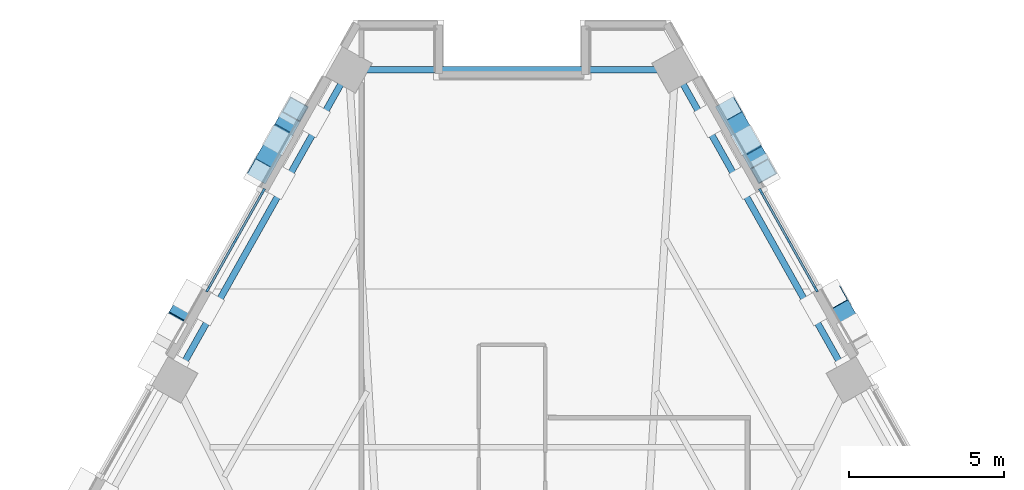
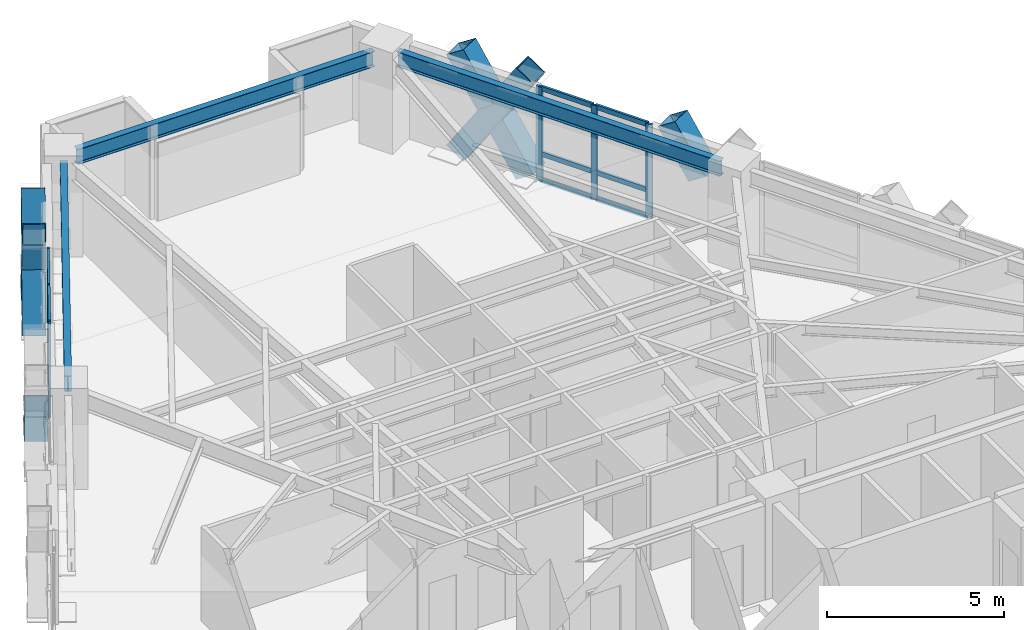
# One storey, part 5 of 14: 26 members, 3 beams, 2 elements without a shape of their own.
"""IFC4 building model written with IfcOpenShell, lengths in metres."""

from ifc_helpers import new_model, si_unit, direction, frame, origin, origin_2d, place, context, subcontext, project, spatial, rectangle, hollow_rectangle, i_section, extrude, material, material_profile, profile_set, type_object, element, aggregate, save


model = new_model("IFC4")

# Units and contexts
model_context = context("Model", 3, precision=1e-05, world=origin(), true_north=direction((0.0, 1.0)))
body_context = subcontext(model_context, "Body", "Model", "MODEL_VIEW")
ifc_project = project(units=[si_unit("LENGTHUNIT", "METRE"), si_unit("AREAUNIT", "SQUARE_METRE"), si_unit("VOLUMEUNIT", "CUBIC_METRE"), si_unit("PLANEANGLEUNIT", "RADIAN"), si_unit("MASSUNIT", "GRAM", prefix="KILO")], contexts=[model_context])

# Site, building, storey
site_placement = place(None, origin())
site = spatial("IfcSite", under=ifc_project, at=site_placement, CompositionType="ELEMENT")
building_placement = place(site_placement, origin())
building = spatial("IfcBuilding", under=site, at=building_placement, Name="Quenlor Broadcast Tower", CompositionType="ELEMENT")
storey_placement = place(building_placement, frame((0.0, 0.0, 112.5)))
storey = spatial("IfcBuildingStorey", under=building, at=storey_placement, Name="L30", CompositionType="ELEMENT", Elevation=112.5)

# Curtain wall, members
ifc_material_1 = material(Name="Architectural Terracotta and Low-E Glazing", Category="masonry")
curtain_wall_type = type_object("IfcCurtainWallType", Name="Unitised Terracotta Curtain Wall System Z2", PredefinedType="NOTDEFINED", material=ifc_material_1)
curtain_wall_1_placement = place(storey_placement, origin())
curtain_wall_1 = element("IfcCurtainWall", 1, at=curtain_wall_1_placement, inside=storey, type_object=curtain_wall_type, Name="L30 Curtain Wall CW2 (L30-NEA-G1)", PredefinedType="NOTDEFINED")
ifc_material_2 = material(Name="Aluminium 6063-T6", Category="aluminium")
ifc_material_profile_1 = material_profile(ifc_material_2, rectangle(XDim=0.074951171875, YDim=0.199951171875, at=origin_2d()))
ifc_profile_set_1 = profile_set([ifc_material_profile_1], Name="Aluminium 6063-T6 MULL75x200")
member_type_1 = type_object("IfcMemberType", Name="CW2 Aluminium Mullion MULL_CW2", PredefinedType="MULLION", material=ifc_profile_set_1)
member_1_placement = place(storey_placement, frame((8.031005859375, 15.79638671875, 0.0), z_axis=(0.0, 0.0, 1.0), x_axis=(0.871573362898, 0.490265104904, 0.0)))
member_1 = element("IfcMember", 2, at=member_1_placement, type_object=member_type_1, Name="CW2 mullion 1", PredefinedType="MULLION", context=body_context, shape_type="SweptSolid", body=[
    extrude(rectangle(XDim=0.074951171875, YDim=0.199951171875, at=origin_2d()), origin(), (0.0, 0.0, 1.0), 3.25),
])
member_2_placement = place(storey_placement, frame((8.916015625, 14.22314453125, 0.0), z_axis=(0.0, 0.0, 1.0), x_axis=(0.871573362898, 0.490265104904, 0.0)))
member_2 = element("IfcMember", 3, at=member_2_placement, type_object=member_type_1, Name="CW2 mullion 2", PredefinedType="MULLION", context=body_context, shape_type="SweptSolid", body=[
    extrude(rectangle(XDim=0.074951171875, YDim=0.199951171875, at=origin_2d()), origin(), (0.0, 0.0, 1.0), 3.25),
])
member_3_placement = place(storey_placement, frame((9.80078125, 12.64990234375, 0.0), z_axis=(0.0, 0.0, 1.0), x_axis=(0.871573362898, 0.490265104904, 0.0)))
member_3 = element("IfcMember", 4, at=member_3_placement, type_object=member_type_1, Name="CW2 mullion 3", PredefinedType="MULLION", context=body_context, shape_type="SweptSolid", body=[
    extrude(rectangle(XDim=0.074951171875, YDim=0.199951171875, at=origin_2d()), origin(), (0.0, 0.0, 1.0), 3.25),
])

curtain_wall_2_placement = place(storey_placement, origin())
curtain_wall_2 = element("IfcCurtainWall", 5, at=curtain_wall_2_placement, inside=storey, type_object=curtain_wall_type, Name="L30 Curtain Wall CW2 (L30-NWC-G1)", PredefinedType="NOTDEFINED")
member_4_placement = place(storey_placement, frame((-9.80078125, 12.64990234375, 0.0), z_axis=(0.0, 0.0, 1.0), x_axis=(-0.871573362898, 0.490265104904, 0.0)))
member_4 = element("IfcMember", 6, at=member_4_placement, type_object=member_type_1, Name="CW2 mullion 1", PredefinedType="MULLION", context=body_context, shape_type="SweptSolid", body=[
    extrude(rectangle(XDim=0.074951171875, YDim=0.199951171875, at=origin_2d()), origin(), (0.0, 0.0, 1.0), 3.25),
])
member_5_placement = place(storey_placement, frame((-8.916015625, 14.22314453125, 0.0), z_axis=(0.0, 0.0, 1.0), x_axis=(-0.871573362898, 0.490265104904, 0.0)))
member_5 = element("IfcMember", 7, at=member_5_placement, type_object=member_type_1, Name="CW2 mullion 2", PredefinedType="MULLION", context=body_context, shape_type="SweptSolid", body=[
    extrude(rectangle(XDim=0.074951171875, YDim=0.199951171875, at=origin_2d()), origin(), (0.0, 0.0, 1.0), 3.25),
])
member_6_placement = place(storey_placement, frame((-8.031005859375, 15.79638671875, 0.0), z_axis=(0.0, 0.0, 1.0), x_axis=(-0.871573362898, 0.490265104904, 0.0)))
member_6 = element("IfcMember", 8, at=member_6_placement, type_object=member_type_1, Name="CW2 mullion 3", PredefinedType="MULLION", context=body_context, shape_type="SweptSolid", body=[
    extrude(rectangle(XDim=0.074951171875, YDim=0.199951171875, at=origin_2d()), origin(), (0.0, 0.0, 1.0), 3.25),
])

# Member
ifc_material_3 = material(Name="Aluminium 6063-T6", Category="aluminium")
ifc_material_profile_2 = material_profile(ifc_material_3, rectangle(XDim=0.074951171875, YDim=0.1650390625, at=origin_2d()))
ifc_profile_set_2 = profile_set([ifc_material_profile_2], Name="Aluminium 6063-T6 TRAN75x165")
member_type_2 = type_object("IfcMemberType", Name="CW2 Aluminium Transom TRAN_CW2", PredefinedType="USERDEFINED", material=ifc_profile_set_2)
member_7_placement = place(storey_placement, frame((8.04931640625, 15.763671875, 0.03759765625), z_axis=(0.490261239633, -0.871575537125, 0.0), x_axis=(0.871575537125, 0.490261239633, 0.0)))
member_7 = element("IfcMember", 9, at=member_7_placement, type_object=member_type_2, Name="CW2 transom 1.1", ObjectType="TRANSOM", PredefinedType="USERDEFINED", context=body_context, shape_type="SweptSolid", body=[
    extrude(rectangle(XDim=0.074951171875, YDim=0.1650390625, at=origin_2d()), origin(), (0.0, 0.0, 1.0), 1.72998046875),
])

member_8_placement = place(storey_placement, frame((8.04931640625, 15.763671875, 0.949951171875), z_axis=(0.490261239633, -0.871575537125, 0.0), x_axis=(0.871575537125, 0.490261239633, 0.0)))
member_8 = element("IfcMember", 10, at=member_8_placement, type_object=member_type_2, Name="CW2 transom 1.2", ObjectType="TRANSOM", PredefinedType="USERDEFINED", context=body_context, shape_type="SweptSolid", body=[
    extrude(rectangle(XDim=0.074951171875, YDim=0.1650390625, at=origin_2d()), origin(), (0.0, 0.0, 1.0), 1.72998046875),
])

member_9_placement = place(storey_placement, frame((8.04931640625, 15.763671875, 3.21240234375), z_axis=(0.490261239633, -0.871575537125, 0.0), x_axis=(0.871575537125, 0.490261239633, 0.0)))
member_9 = element("IfcMember", 11, at=member_9_placement, type_object=member_type_2, Name="CW2 transom 1.3", ObjectType="TRANSOM", PredefinedType="USERDEFINED", context=body_context, shape_type="SweptSolid", body=[
    extrude(rectangle(XDim=0.074951171875, YDim=0.1650390625, at=origin_2d()), origin(), (0.0, 0.0, 1.0), 1.72998046875),
])

member_10_placement = place(storey_placement, frame((8.934326171875, 14.1904296875, 0.03759765625), z_axis=(0.490261239633, -0.871575537125, 0.0), x_axis=(0.871575537125, 0.490261239633, 0.0)))
member_10 = element("IfcMember", 12, at=member_10_placement, type_object=member_type_2, Name="CW2 transom 2.1", ObjectType="TRANSOM", PredefinedType="USERDEFINED", context=body_context, shape_type="SweptSolid", body=[
    extrude(rectangle(XDim=0.074951171875, YDim=0.1650390625, at=origin_2d()), origin(), (0.0, 0.0, 1.0), 1.72998046875),
])

member_11_placement = place(storey_placement, frame((8.934326171875, 14.1904296875, 0.949951171875), z_axis=(0.490261239633, -0.871575537125, 0.0), x_axis=(0.871575537125, 0.490261239633, 0.0)))
member_11 = element("IfcMember", 13, at=member_11_placement, type_object=member_type_2, Name="CW2 transom 2.2", ObjectType="TRANSOM", PredefinedType="USERDEFINED", context=body_context, shape_type="SweptSolid", body=[
    extrude(rectangle(XDim=0.074951171875, YDim=0.1650390625, at=origin_2d()), origin(), (0.0, 0.0, 1.0), 1.72998046875),
])

member_12_placement = place(storey_placement, frame((8.934326171875, 14.1904296875, 3.21240234375), z_axis=(0.490261239633, -0.871575537125, 0.0), x_axis=(0.871575537125, 0.490261239633, 0.0)))
member_12 = element("IfcMember", 14, at=member_12_placement, type_object=member_type_2, Name="CW2 transom 2.3", ObjectType="TRANSOM", PredefinedType="USERDEFINED", context=body_context, shape_type="SweptSolid", body=[
    extrude(rectangle(XDim=0.074951171875, YDim=0.1650390625, at=origin_2d()), origin(), (0.0, 0.0, 1.0), 1.72998046875),
])

aggregate(curtain_wall_1, [member_1, member_2, member_3, member_7, member_8, member_9, member_10, member_11, member_12])

member_13_placement = place(storey_placement, frame((-9.782470703125, 12.6826171875, 0.03759765625), z_axis=(0.490261239633, 0.871575537125, 0.0), x_axis=(-0.871575537125, 0.490261239633, 0.0)))
member_13 = element("IfcMember", 15, at=member_13_placement, type_object=member_type_2, Name="CW2 transom 1.1", ObjectType="TRANSOM", PredefinedType="USERDEFINED", context=body_context, shape_type="SweptSolid", body=[
    extrude(rectangle(XDim=0.074951171875, YDim=0.1650390625, at=origin_2d()), origin(), (0.0, 0.0, 1.0), 1.72998046875),
])

member_14_placement = place(storey_placement, frame((-9.782470703125, 12.6826171875, 0.949951171875), z_axis=(0.490261239633, 0.871575537125, 0.0), x_axis=(-0.871575537125, 0.490261239633, 0.0)))
member_14 = element("IfcMember", 16, at=member_14_placement, type_object=member_type_2, Name="CW2 transom 1.2", ObjectType="TRANSOM", PredefinedType="USERDEFINED", context=body_context, shape_type="SweptSolid", body=[
    extrude(rectangle(XDim=0.074951171875, YDim=0.1650390625, at=origin_2d()), origin(), (0.0, 0.0, 1.0), 1.72998046875),
])

member_15_placement = place(storey_placement, frame((-9.782470703125, 12.6826171875, 3.21240234375), z_axis=(0.490261239633, 0.871575537125, 0.0), x_axis=(-0.871575537125, 0.490261239633, 0.0)))
member_15 = element("IfcMember", 17, at=member_15_placement, type_object=member_type_2, Name="CW2 transom 1.3", ObjectType="TRANSOM", PredefinedType="USERDEFINED", context=body_context, shape_type="SweptSolid", body=[
    extrude(rectangle(XDim=0.074951171875, YDim=0.1650390625, at=origin_2d()), origin(), (0.0, 0.0, 1.0), 1.72998046875),
])

member_16_placement = place(storey_placement, frame((-8.8974609375, 14.255859375, 0.03759765625), z_axis=(0.490261239633, 0.871575537125, 0.0), x_axis=(-0.871575537125, 0.490261239633, 0.0)))
member_16 = element("IfcMember", 18, at=member_16_placement, type_object=member_type_2, Name="CW2 transom 2.1", ObjectType="TRANSOM", PredefinedType="USERDEFINED", context=body_context, shape_type="SweptSolid", body=[
    extrude(rectangle(XDim=0.074951171875, YDim=0.1650390625, at=origin_2d()), origin(), (0.0, 0.0, 1.0), 1.72998046875),
])

member_17_placement = place(storey_placement, frame((-8.8974609375, 14.255859375, 0.949951171875), z_axis=(0.490261239633, 0.871575537125, 0.0), x_axis=(-0.871575537125, 0.490261239633, 0.0)))
member_17 = element("IfcMember", 19, at=member_17_placement, type_object=member_type_2, Name="CW2 transom 2.2", ObjectType="TRANSOM", PredefinedType="USERDEFINED", context=body_context, shape_type="SweptSolid", body=[
    extrude(rectangle(XDim=0.074951171875, YDim=0.1650390625, at=origin_2d()), origin(), (0.0, 0.0, 1.0), 1.72998046875),
])

member_18_placement = place(storey_placement, frame((-8.8974609375, 14.255859375, 3.21240234375), z_axis=(0.490261239633, 0.871575537125, 0.0), x_axis=(-0.871575537125, 0.490261239633, 0.0)))
member_18 = element("IfcMember", 20, at=member_18_placement, type_object=member_type_2, Name="CW2 transom 2.3", ObjectType="TRANSOM", PredefinedType="USERDEFINED", context=body_context, shape_type="SweptSolid", body=[
    extrude(rectangle(XDim=0.074951171875, YDim=0.1650390625, at=origin_2d()), origin(), (0.0, 0.0, 1.0), 1.72998046875),
])

aggregate(curtain_wall_2, [member_4, member_5, member_6, member_13, member_14, member_15, member_16, member_17, member_18])

# Members
ifc_material_4 = material(Name="Steel S355", Category="steel")
ifc_material_profile_3 = material_profile(ifc_material_4, hollow_rectangle(XDim=0.679931640625, YDim=0.679931640625, WallThickness=0.030029296875, at=origin_2d()))
ifc_profile_set_3 = profile_set([ifc_material_profile_3], Name="Steel S355 RHS680x680x30")
member_type_3 = type_object("IfcMemberType", Name="Perimeter Diagonal Lattice Brace Z2 Steel S355 RHS680x30", PredefinedType="BRACE", material=ifc_profile_set_3)
member_19_placement = place(storey_placement, frame((6.99169921875, 18.44970703125, -0.1201171875), z_axis=(0.26858823371, -0.477600411236, 0.836515515636), x_axis=(0.871623880158, 0.490175286544, 0.0)))
element("IfcMember", 21, at=member_19_placement, inside=storey, type_object=member_type_3, Name="L30 Perimeter Diamond Lattice NE-C1XA", PredefinedType="BRACE", context=body_context, shape_type="SweptSolid", body=[
    extrude(hollow_rectangle(XDim=0.679931640625, YDim=0.679931640625, WallThickness=0.030029296875, at=origin_2d()), origin(), (0.0, 0.0, 1.0), 4.18408203125),
])
member_20_placement = place(storey_placement, frame((8.115478515625, 16.451416015625, -0.1201171875), z_axis=(-0.268503779961, 0.477634562182, 0.836523128883), x_axis=(-0.871704696361, -0.490031552394, 0.0)))
element("IfcMember", 22, at=member_20_placement, inside=storey, type_object=member_type_3, Name="L30 Perimeter Diamond Lattice NE-C1XB1", PredefinedType="BRACE", context=body_context, shape_type="SweptSolid", body=[
    extrude(hollow_rectangle(XDim=0.679931640625, YDim=0.679931640625, WallThickness=0.030029296875, at=origin_2d()), origin(), (0.0, 0.0, 1.0), 1.84228515625),
])
member_21_placement = place(storey_placement, frame((7.486328125, 17.570068359375, 1.839111328125), z_axis=(-0.268550551161, 0.477585210185, 0.836536292389), x_axis=(-0.871646597174, -0.490134889224, 0.0)))
element("IfcMember", 23, at=member_21_placement, inside=storey, type_object=member_type_3, Name="L30 Perimeter Diamond Lattice NE-C1XB2", PredefinedType="BRACE", context=body_context, shape_type="SweptSolid", body=[
    extrude(hollow_rectangle(XDim=0.679931640625, YDim=0.679931640625, WallThickness=0.030029296875, at=origin_2d()), origin(), (0.0, 0.0, 1.0), 1.841796875),
])
member_22_placement = place(storey_placement, frame((10.8994140625, 11.502197265625, 1.839111328125), z_axis=(-0.268533549845, 0.477687519073, 0.836483333205), x_axis=(-0.871704696361, -0.490031552394, 0.0)))
element("IfcMember", 24, at=member_22_placement, inside=storey, type_object=member_type_3, Name="L30 Perimeter Diamond Lattice NE-C2XB2", PredefinedType="BRACE", context=body_context, shape_type="SweptSolid", body=[
    extrude(hollow_rectangle(XDim=0.679931640625, YDim=0.679931640625, WallThickness=0.030029296875, at=origin_2d()), origin(), (0.0, 0.0, 1.0), 1.842041015625),
])
member_23_placement = place(storey_placement, frame((-10.40478515625, 12.382080078125, -0.1201171875), z_axis=(-0.268503779961, -0.477634562182, 0.836523128883), x_axis=(0.871704696361, -0.490031552394, 0.0)))
element("IfcMember", 25, at=member_23_placement, inside=storey, type_object=member_type_3, Name="L30 Perimeter Diamond Lattice NW-C4XB1", PredefinedType="BRACE", context=body_context, shape_type="SweptSolid", body=[
    extrude(hollow_rectangle(XDim=0.679931640625, YDim=0.679931640625, WallThickness=0.030029296875, at=origin_2d()), origin(), (0.0, 0.0, 1.0), 1.84228515625),
])
member_24_placement = place(storey_placement, frame((-8.115478515625, 16.451416015625, -0.1201171875), z_axis=(0.26858823371, 0.477600411236, 0.836515515636), x_axis=(-0.871623880158, 0.490175286544, 0.0)))
element("IfcMember", 26, at=member_24_placement, inside=storey, type_object=member_type_3, Name="L30 Perimeter Diamond Lattice NW-C5XA", PredefinedType="BRACE", context=body_context, shape_type="SweptSolid", body=[
    extrude(hollow_rectangle(XDim=0.679931640625, YDim=0.679931640625, WallThickness=0.030029296875, at=origin_2d()), origin(), (0.0, 0.0, 1.0), 4.18408203125),
])
for number, where, z_axis, x_axis, name in (
    (27, (-6.99169921875, 18.44970703125, -0.1201171875), (-0.268520775624, -0.477532257933, 0.836576078843), (0.871646597174, -0.490134889224, 0.0), "L30 Perimeter Diamond Lattice NW-C5XB1"),
    (28, (-7.620849609375, 17.331298828125, 1.839111328125), (-0.268533549845, -0.477687519073, 0.836483333205), (0.871704696361, -0.490031552394, 0.0), "L30 Perimeter Diamond Lattice NW-C5XB2"),
):
    element("IfcMember", number, at=place(storey_placement, frame(where, z_axis=z_axis, x_axis=x_axis)), inside=storey, type_object=member_type_3, Name=name, PredefinedType="BRACE", context=body_context, shape_type="SweptSolid", body=[
        extrude(hollow_rectangle(XDim=0.679931640625, YDim=0.679931640625, WallThickness=0.030029296875, at=origin_2d()), origin(), (0.0, 0.0, 1.0), 1.842041015625),
    ])

# Beams
ifc_material_5 = material(Name="Steel S355", Category="steel")
ifc_material_profile_4 = material_profile(ifc_material_5, i_section(OverallWidth=0.208984375, OverallDepth=0.5283203125, WebThickness=0.009521484375, FlangeThickness=0.01318359375, FilletRadius=0.013916015625, at=origin_2d()))
ifc_profile_set_4 = profile_set([ifc_material_profile_4], Name="Steel S355 530UB82.0")
beam_type = type_object("IfcBeamType", Name="Perimeter Spandrel Beam Z2 Steel S355 530UB82.0", PredefinedType="SPANDREL", material=ifc_profile_set_4)
beam_1_placement = place(storey_placement, frame((10.685791015625, 10.076904296875, 2.98583984375), z_axis=(-0.490236213386, 0.871589613916, 0.0), x_axis=(-0.871589613916, -0.490236213386, 0.0)))
element("IfcBeam", 29, at=beam_1_placement, inside=storey, type_object=beam_type, Name="L30 Spandrel Beam NE3-NE4", PredefinedType="SPANDREL", context=body_context, shape_type="SweptSolid", body=[
    extrude(i_section(OverallWidth=0.208984375, OverallDepth=0.5283203125, WebThickness=0.009521484375, FlangeThickness=0.01318359375, FilletRadius=0.013916015625, at=origin_2d()), origin(), (0.0, 0.0, 1.0), 10.65283203125),
])
beam_2_placement = place(storey_placement, frame((4.852294921875, 19.718994140625, 2.98583984375), z_axis=(-1.0, 0.0, 0.0), x_axis=(0.0, -1.0, 0.0)))
element("IfcBeam", 30, at=beam_2_placement, inside=storey, type_object=beam_type, Name="L30 Spandrel Beam NE4-NW1", PredefinedType="SPANDREL", context=body_context, shape_type="SweptSolid", body=[
    extrude(i_section(OverallWidth=0.208984375, OverallDepth=0.5283203125, WebThickness=0.009521484375, FlangeThickness=0.01318359375, FilletRadius=0.013916015625, at=origin_2d()), origin(), (0.0, 0.0, 1.0), 9.70458984375),
])
beam_3_placement = place(storey_placement, frame((-5.46337890625, 19.36181640625, 2.98583984375), z_axis=(-0.490236213386, -0.871589613916, 0.0), x_axis=(0.871589613916, -0.490236213386, 0.0)))
element("IfcBeam", 31, at=beam_3_placement, inside=storey, type_object=beam_type, Name="L30 Spandrel Beam NW1-NW2", PredefinedType="SPANDREL", context=body_context, shape_type="SweptSolid", body=[
    extrude(i_section(OverallWidth=0.208984375, OverallDepth=0.5283203125, WebThickness=0.009521484375, FlangeThickness=0.01318359375, FilletRadius=0.013916015625, at=origin_2d()), origin(), (0.0, 0.0, 1.0), 10.65283203125),
])

save(model, "model.ifc")
